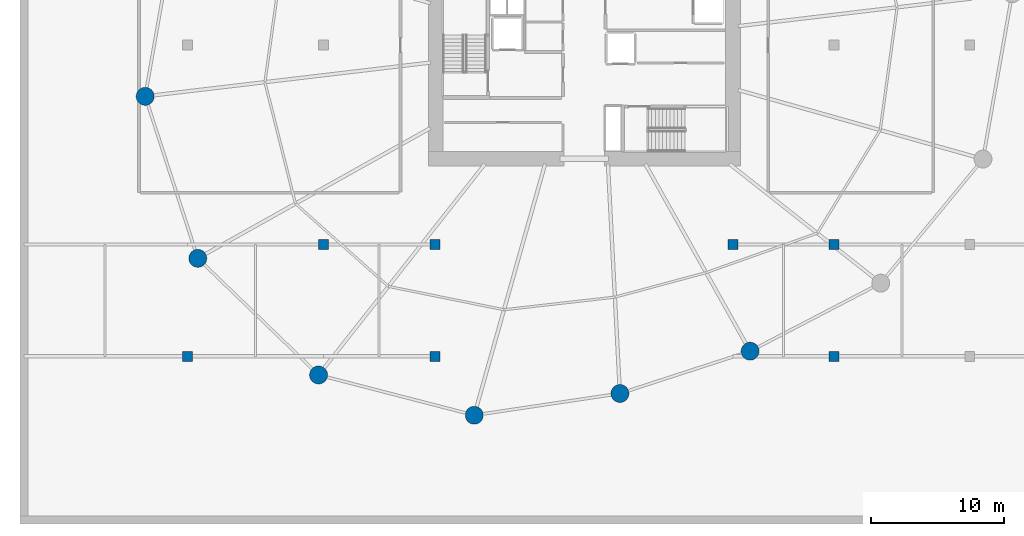
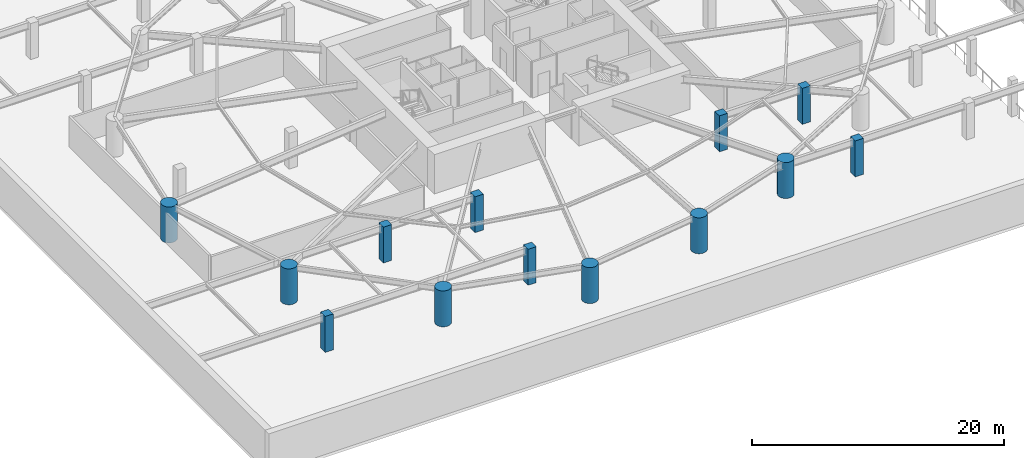
# One storey, part 1 of 13: 13 columns.
"""IFC4 building model written with IfcOpenShell, lengths in metres."""

from ifc_helpers import new_model, si_unit, direction, frame, origin, origin_2d, place, context, subcontext, project, spatial, rectangle, circle, extrude, material, material_profile, profile_set, type_object, element, save


model = new_model("IFC4")

# Units and contexts
model_context = context("Model", 3, precision=1e-05, world=origin(), true_north=direction((0.0, 1.0)))
body_context = subcontext(model_context, "Body", "Model", "MODEL_VIEW")
ifc_project = project(units=[si_unit("LENGTHUNIT", "METRE"), si_unit("AREAUNIT", "SQUARE_METRE"), si_unit("VOLUMEUNIT", "CUBIC_METRE"), si_unit("PLANEANGLEUNIT", "RADIAN"), si_unit("MASSUNIT", "GRAM", prefix="KILO")], contexts=[model_context])

# Site, building, storey
site_placement = place(None, origin())
site = spatial("IfcSite", under=ifc_project, at=site_placement, CompositionType="ELEMENT")
building_placement = place(site_placement, origin())
building = spatial("IfcBuilding", under=site, at=building_placement, Name="Kazma Halo Residences", CompositionType="ELEMENT")
storey_placement = place(building_placement, frame((0.0, 0.0, -3.800048828125)))
storey = spatial("IfcBuildingStorey", under=building, at=storey_placement, Name="B01", CompositionType="ELEMENT", Elevation=-3.800048828125)

# Columns
ifc_material_1 = material(Name="Concrete C60/75", Category="concrete")
ifc_material_profile_1 = material_profile(ifc_material_1, rectangle(XDim=0.75, YDim=0.75, at=origin_2d()), Name="RECT750x750")
ifc_profile_set_1 = profile_set([ifc_material_profile_1], Name="Concrete C60/75")
column_type_1 = type_object("IfcColumnType", Name="COL-BSMT-750", PredefinedType="COLUMN", material=ifc_profile_set_1)
for number, where, z_axis, x_axis, name in (
    (1, (18.60009765625, 18.60009765625, 0.0), (0.0, 0.0, 1.0), (1.0, 0.0, 0.0), "B01 parking grid column 01"),
    (2, (28.800048828125, 27.0, 0.0), (0.0, 0.0, 1.0), (1.0, 0.0, 0.0), "B01 parking grid column 07"),
    (3, (37.199951171875, 18.60009765625, 0.0), (0.0, 0.0, 1.0), (1.0, 0.0, 0.0), "B01 parking grid column 11"),
    (4, (37.199951171875, 27.0, 0.0), (0.0, 0.0, 1.0), (1.0, 0.0, 0.0), "B01 parking grid column 12"),
    (5, (59.60009765625, 27.0, 0.0), (0.0, 0.0, 1.0), (1.0, 0.0, 0.0), "B01 parking grid column 16"),
    (6, (67.199951171875, 18.60009765625, 0.0), (0.0, 0.0, 1.0), (1.0, 0.0, 0.0), "B01 parking grid column 19"),
    (7, (67.199951171875, 27.0, 0.0), (0.0, 0.0, 1.0), (1.0, 0.0, 0.0), "B01 parking grid column 20"),
):
    element("IfcColumn", number, at=place(storey_placement, frame(where, z_axis=z_axis, x_axis=x_axis)), inside=storey, type_object=column_type_1, Name=name, PredefinedType="COLUMN", context=body_context, shape_type="SweptSolid", body=[
        extrude(rectangle(XDim=0.75, YDim=0.75, at=origin_2d()), origin(), (0.0, 0.0, 1.0), 3.47998046875),
    ])
ifc_material_2 = material(Name="Concrete C80/95", Category="concrete")
ifc_material_profile_2 = material_profile(ifc_material_2, circle(Radius=0.675048828125, at=origin_2d()), Name="CIRC1350")
ifc_profile_set_2 = profile_set([ifc_material_profile_2], Name="Concrete C80/95")
column_type_2 = type_object("IfcColumnType", Name="COL-PERIM-1350", PredefinedType="COLUMN", material=ifc_profile_set_2)
for number, where, z_axis, x_axis, name in (
    (8, (15.410400390625, 38.142822265625, 0.0), (0.0, 0.0, 1.0), (1.0, 0.0, 0.0), "B01 perimeter ring column P08"),
    (9, (19.3671875, 25.96484375, 0.0), (0.0, 0.0, 1.0), (1.0, 0.0, 0.0), "B01 perimeter ring column P09"),
    (10, (28.44677734375, 17.19677734375, 0.0), (0.0, 0.0, 1.0), (1.0, 0.0, 0.0), "B01 perimeter ring column P10"),
    (11, (40.15087890625, 14.168701171875, 0.0), (0.0, 0.0, 1.0), (1.0, 0.0, 0.0), "B01 perimeter ring column P11"),
    (12, (51.1005859375, 15.803955078125, 0.0), (0.0, 0.0, 1.0), (1.0, 0.0, 0.0), "B01 perimeter ring column P12"),
    (13, (60.889404296875, 18.984375, 0.0), (0.0, 0.0, 1.0), (1.0, 0.0, 0.0), "B01 perimeter ring column P13"),
):
    element("IfcColumn", number, at=place(storey_placement, frame(where, z_axis=z_axis, x_axis=x_axis)), inside=storey, type_object=column_type_2, Name=name, PredefinedType="COLUMN", context=body_context, shape_type="SweptSolid", body=[
        extrude(circle(Radius=0.675048828125, at=origin_2d()), origin(), (0.0, 0.0, 1.0), 3.47998046875),
    ])

save(model, "model.ifc")
